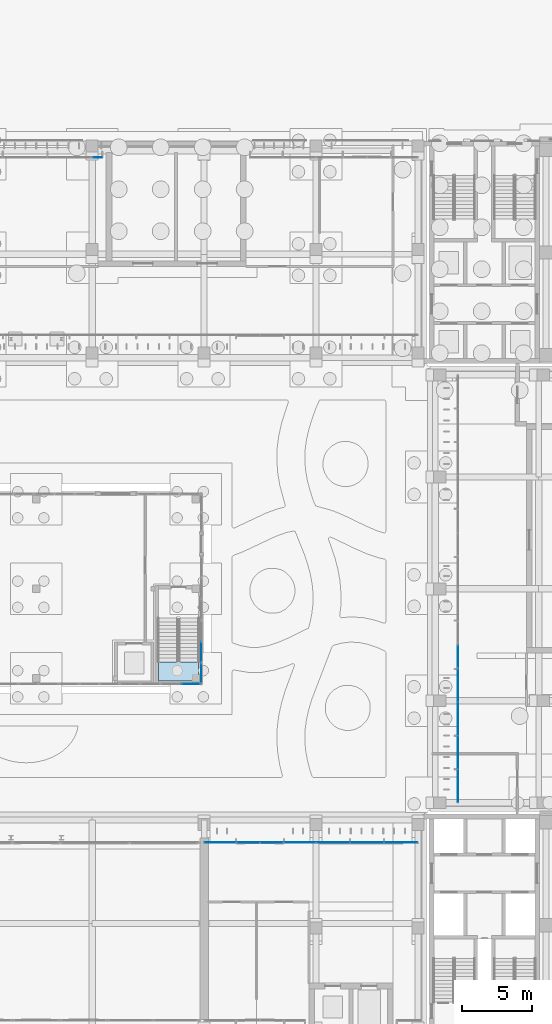
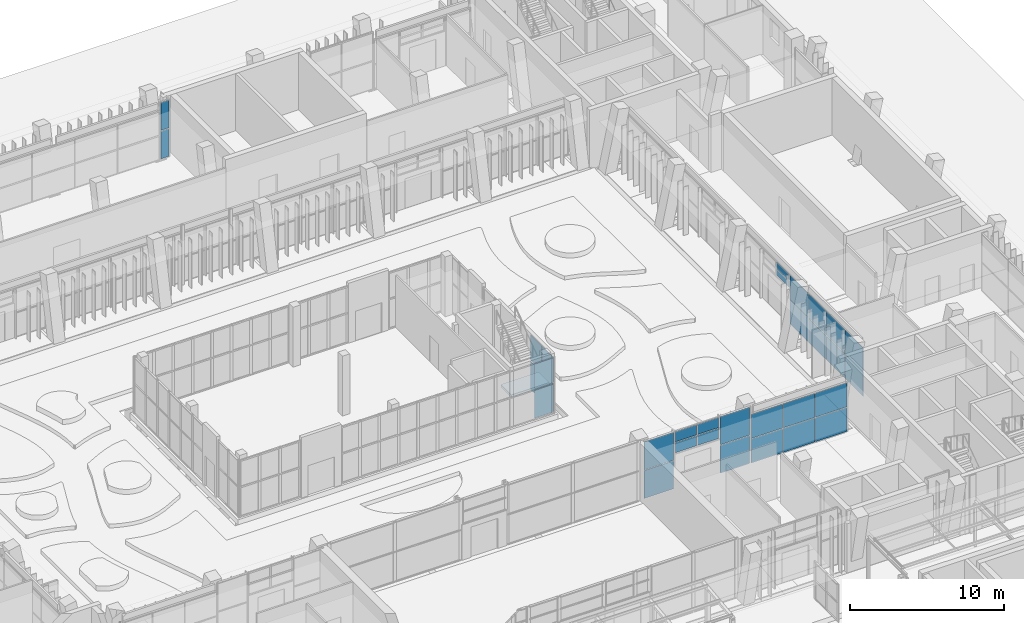
# One storey, part 99 of 144: 32 plates, 1 slab, 10 elements without a shape of their own.
"""IFC4 building model written with IfcOpenShell, lengths in metres."""

from ifc_helpers import new_model, si_unit, direction, frame, origin, origin_2d, place, context, subcontext, project, spatial, polyline, rectangle, outline, extrude, material, layer, layer_set, type_object, element, aggregate, save


model = new_model("IFC4")

# Units and contexts
model_context = context("Model", 3, precision=1e-05, world=origin(), true_north=direction((0.0, 1.0)))
body_context = subcontext(model_context, "Body", "Model", "MODEL_VIEW")
ifc_project = project(units=[si_unit("LENGTHUNIT", "METRE"), si_unit("AREAUNIT", "SQUARE_METRE"), si_unit("VOLUMEUNIT", "CUBIC_METRE"), si_unit("PLANEANGLEUNIT", "RADIAN"), si_unit("MASSUNIT", "GRAM", prefix="KILO")], contexts=[model_context])

# Site, building, storey
site_placement = place(None, origin())
site = spatial("IfcSite", under=ifc_project, at=site_placement, CompositionType="ELEMENT")
building_placement = place(site_placement, origin())
building = spatial("IfcBuilding", under=site, at=building_placement, Name="Lantern Court Media Centre", CompositionType="ELEMENT")
storey_placement = place(building_placement, origin())
storey = spatial("IfcBuildingStorey", under=building, at=storey_placement, Name="L00", CompositionType="ELEMENT", Elevation=0.0)

# Curtain wall, plates
ifc_material_1 = material(Name="Curtain wall bay 2400")
curtain_wall_type_1 = type_object("IfcCurtainWallType", Name="Curtain wall bay 2400", PredefinedType="NOTDEFINED", material=ifc_material_1)
curtain_wall_1_placement = place(storey_placement, origin())
curtain_wall_1 = element("IfcCurtainWall", 1, at=curtain_wall_1_placement, inside=storey, type_object=curtain_wall_type_1, Name="Curtain wall S inner L00", PredefinedType="NOTDEFINED")
ifc_material_2 = material(Name="Low-iron double glazed unit glass", Category="glass")
ifc_layer_1 = layer(ifc_material_2, 0.02392578125)
ifc_layer_set_1 = layer_set([ifc_layer_1], Name="Low-iron double glazed unit glass")
plate_type_1 = type_object("IfcPlateType", Name="Curtain wall glazing unit 24", PredefinedType="CURTAIN_PANEL", material=ifc_layer_set_1)
plate_1_placement = place(storey_placement, frame((65.14990234375, 61.85009765625, 0.0498046875), z_axis=(0.0, 0.0, 1.0), x_axis=(1.0, 0.0, 0.0)))
plate_1 = element("IfcPlate", 2, at=plate_1_placement, type_object=plate_type_1, Name="CW2 panel 1.1", PredefinedType="CURTAIN_PANEL", context=body_context, shape_type="SweptSolid", body=[
    extrude(rectangle(XDim=2.199951171875, YDim=0.02392578125, at=origin_2d()), origin(), (0.0, 0.0, 1.0), 2.215087890625),
])
plate_2_placement = place(storey_placement, frame((65.14990234375, 61.85009765625, 2.31494140625), z_axis=(0.0, 0.0, 1.0), x_axis=(1.0, 0.0, 0.0)))
plate_2 = element("IfcPlate", 3, at=plate_2_placement, type_object=plate_type_1, Name="CW2 panel 1.2", PredefinedType="CURTAIN_PANEL", context=body_context, shape_type="SweptSolid", body=[
    extrude(rectangle(XDim=2.199951171875, YDim=0.02392578125, at=origin_2d()), origin(), (0.0, 0.0, 1.0), 2.215087890625),
])
aggregate(curtain_wall_1, [plate_1, plate_2])

curtain_wall_2_placement = place(storey_placement, origin())
curtain_wall_2 = element("IfcCurtainWall", 4, at=curtain_wall_2_placement, inside=storey, type_object=curtain_wall_type_1, Name="Curtain wall S inner L00", PredefinedType="NOTDEFINED")
plate_3_placement = place(storey_placement, frame((70.85009765625, 61.85009765625, 0.0498046875), z_axis=(0.0, 0.0, 1.0), x_axis=(1.0, 0.0, 0.0)))
plate_3 = element("IfcPlate", 5, at=plate_3_placement, type_object=plate_type_1, Name="CW2 panel 1.1", PredefinedType="CURTAIN_PANEL", context=body_context, shape_type="SweptSolid", body=[
    extrude(rectangle(XDim=2.199951171875, YDim=0.02392578125, at=origin_2d()), origin(), (0.0, 0.0, 1.0), 2.215087890625),
])
plate_4_placement = place(storey_placement, frame((70.85009765625, 61.85009765625, 2.31494140625), z_axis=(0.0, 0.0, 1.0), x_axis=(1.0, 0.0, 0.0)))
plate_4 = element("IfcPlate", 6, at=plate_4_placement, type_object=plate_type_1, Name="CW2 panel 1.2", PredefinedType="CURTAIN_PANEL", context=body_context, shape_type="SweptSolid", body=[
    extrude(rectangle(XDim=2.199951171875, YDim=0.02392578125, at=origin_2d()), origin(), (0.0, 0.0, 1.0), 2.215087890625),
])
aggregate(curtain_wall_2, [plate_3, plate_4])

curtain_wall_3_placement = place(storey_placement, origin())
curtain_wall_3 = element("IfcCurtainWall", 7, at=curtain_wall_3_placement, inside=storey, type_object=curtain_wall_type_1, Name="Curtain wall S inner L00", PredefinedType="NOTDEFINED")
plate_5_placement = place(storey_placement, frame((73.229248046875, 61.85009765625, 0.050048828125), z_axis=(0.0, 0.0, 1.0), x_axis=(1.0, 0.0, 0.0)))
plate_5 = element("IfcPlate", 8, at=plate_5_placement, type_object=plate_type_1, Name="CW2 panel 1.1", PredefinedType="CURTAIN_PANEL", context=body_context, shape_type="SweptSolid", body=[
    extrude(rectangle(XDim=2.3583984375, YDim=0.02392578125, at=origin_2d()), origin(), (0.0, 0.0, 1.0), 1.89990234375),
])
plate_6_placement = place(storey_placement, frame((73.229248046875, 61.85009765625, 2.0), z_axis=(0.0, 0.0, 1.0), x_axis=(1.0, 0.0, 0.0)))
plate_6 = element("IfcPlate", 9, at=plate_6_placement, type_object=plate_type_1, Name="CW2 panel 1.2", PredefinedType="CURTAIN_PANEL", context=body_context, shape_type="SweptSolid", body=[
    extrude(rectangle(XDim=2.3583984375, YDim=0.02392578125, at=origin_2d()), origin(), (0.0, 0.0, 1.0), 1.89990234375),
])
plate_7_placement = place(storey_placement, frame((75.64990234375, 61.85009765625, 0.050048828125), z_axis=(0.0, 0.0, 1.0), x_axis=(1.0, 0.0, 0.0)))
plate_7 = element("IfcPlate", 10, at=plate_7_placement, type_object=plate_type_1, Name="CW2 panel 2.1", PredefinedType="CURTAIN_PANEL", context=body_context, shape_type="SweptSolid", body=[
    extrude(rectangle(XDim=2.38330078125, YDim=0.02392578125, at=origin_2d()), origin(), (0.0, 0.0, 1.0), 1.89990234375),
])
plate_8_placement = place(storey_placement, frame((75.64990234375, 61.85009765625, 2.0), z_axis=(0.0, 0.0, 1.0), x_axis=(1.0, 0.0, 0.0)))
plate_8 = element("IfcPlate", 11, at=plate_8_placement, type_object=plate_type_1, Name="CW2 panel 2.2", PredefinedType="CURTAIN_PANEL", context=body_context, shape_type="SweptSolid", body=[
    extrude(rectangle(XDim=2.38330078125, YDim=0.02392578125, at=origin_2d()), origin(), (0.0, 0.0, 1.0), 1.89990234375),
])
plate_9_placement = place(storey_placement, frame((78.07080078125, 61.85009765625, 0.050048828125), z_axis=(0.0, 0.0, 1.0), x_axis=(1.0, 0.0, 0.0)))
plate_9 = element("IfcPlate", 12, at=plate_9_placement, type_object=plate_type_1, Name="CW2 panel 3.1", PredefinedType="CURTAIN_PANEL", context=body_context, shape_type="SweptSolid", body=[
    extrude(rectangle(XDim=2.3583984375, YDim=0.02392578125, at=origin_2d()), origin(), (0.0, 0.0, 1.0), 1.89990234375),
])
plate_10_placement = place(storey_placement, frame((78.07080078125, 61.85009765625, 2.0), z_axis=(0.0, 0.0, 1.0), x_axis=(1.0, 0.0, 0.0)))
plate_10 = element("IfcPlate", 13, at=plate_10_placement, type_object=plate_type_1, Name="CW2 panel 3.2", PredefinedType="CURTAIN_PANEL", context=body_context, shape_type="SweptSolid", body=[
    extrude(rectangle(XDim=2.3583984375, YDim=0.02392578125, at=origin_2d()), origin(), (0.0, 0.0, 1.0), 1.89990234375),
])
aggregate(curtain_wall_3, [plate_5, plate_6, plate_7, plate_8, plate_9, plate_10])

curtain_wall_4_placement = place(storey_placement, origin())
curtain_wall_4 = element("IfcCurtainWall", 14, at=curtain_wall_4_placement, inside=storey, type_object=curtain_wall_type_1, Name="Curtain wall E inner L00", PredefinedType="NOTDEFINED")
plate_11_placement = place(storey_placement, frame((82.14990234375, 65.91259765625, 0.050048828125), z_axis=(0.0, 0.0, 1.0), x_axis=(0.0, 1.0, 0.0)))
plate_11 = element("IfcPlate", 15, at=plate_11_placement, type_object=plate_type_1, Name="CW2 panel 1.1", PredefinedType="CURTAIN_PANEL", context=body_context, shape_type="SweptSolid", body=[
    extrude(rectangle(XDim=2.324951171875, YDim=0.02392578125, at=origin_2d()), origin(), (0.0, 0.0, 1.0), 1.89990234375),
])
plate_12_placement = place(storey_placement, frame((82.14990234375, 65.91259765625, 2.0), z_axis=(0.0, 0.0, 1.0), x_axis=(0.0, 1.0, 0.0)))
plate_12 = element("IfcPlate", 16, at=plate_12_placement, type_object=plate_type_1, Name="CW2 panel 1.2", PredefinedType="CURTAIN_PANEL", context=body_context, shape_type="SweptSolid", body=[
    extrude(rectangle(XDim=2.324951171875, YDim=0.02392578125, at=origin_2d()), origin(), (0.0, 0.0, 1.0), 1.89990234375),
])
plate_13_placement = place(storey_placement, frame((82.14990234375, 68.300048828125, 0.050048828125), z_axis=(0.0, 0.0, 1.0), x_axis=(0.0, 1.0, 0.0)))
plate_13 = element("IfcPlate", 17, at=plate_13_placement, type_object=plate_type_1, Name="CW2 panel 2.1", PredefinedType="CURTAIN_PANEL", context=body_context, shape_type="SweptSolid", body=[
    extrude(rectangle(XDim=2.35009765625, YDim=0.02392578125, at=origin_2d()), origin(), (0.0, 0.0, 1.0), 1.89990234375),
])
plate_14_placement = place(storey_placement, frame((82.14990234375, 68.300048828125, 2.0), z_axis=(0.0, 0.0, 1.0), x_axis=(0.0, 1.0, 0.0)))
plate_14 = element("IfcPlate", 18, at=plate_14_placement, type_object=plate_type_1, Name="CW2 panel 2.2", PredefinedType="CURTAIN_PANEL", context=body_context, shape_type="SweptSolid", body=[
    extrude(rectangle(XDim=2.35009765625, YDim=0.02392578125, at=origin_2d()), origin(), (0.0, 0.0, 1.0), 1.89990234375),
])
plate_15_placement = place(storey_placement, frame((82.14990234375, 70.699951171875, 0.050048828125), z_axis=(0.0, 0.0, 1.0), x_axis=(0.0, 1.0, 0.0)))
plate_15 = element("IfcPlate", 19, at=plate_15_placement, type_object=plate_type_1, Name="CW2 panel 3.1", PredefinedType="CURTAIN_PANEL", context=body_context, shape_type="SweptSolid", body=[
    extrude(rectangle(XDim=2.35009765625, YDim=0.02392578125, at=origin_2d()), origin(), (0.0, 0.0, 1.0), 1.89990234375),
])
plate_16_placement = place(storey_placement, frame((82.14990234375, 70.699951171875, 2.0), z_axis=(0.0, 0.0, 1.0), x_axis=(0.0, 1.0, 0.0)))
plate_16 = element("IfcPlate", 20, at=plate_16_placement, type_object=plate_type_1, Name="CW2 panel 3.2", PredefinedType="CURTAIN_PANEL", context=body_context, shape_type="SweptSolid", body=[
    extrude(rectangle(XDim=2.35009765625, YDim=0.02392578125, at=origin_2d()), origin(), (0.0, 0.0, 1.0), 1.89990234375),
])
plate_17_placement = place(storey_placement, frame((82.14990234375, 73.08740234375, 0.050048828125), z_axis=(0.0, 0.0, 1.0), x_axis=(0.0, 1.0, 0.0)))
plate_17 = element("IfcPlate", 21, at=plate_17_placement, type_object=plate_type_1, Name="CW2 panel 4.1", PredefinedType="CURTAIN_PANEL", context=body_context, shape_type="SweptSolid", body=[
    extrude(rectangle(XDim=2.324951171875, YDim=0.02392578125, at=origin_2d()), origin(), (0.0, 0.0, 1.0), 1.89990234375),
])
plate_18_placement = place(storey_placement, frame((82.14990234375, 73.08740234375, 2.0), z_axis=(0.0, 0.0, 1.0), x_axis=(0.0, 1.0, 0.0)))
plate_18 = element("IfcPlate", 22, at=plate_18_placement, type_object=plate_type_1, Name="CW2 panel 4.2", PredefinedType="CURTAIN_PANEL", context=body_context, shape_type="SweptSolid", body=[
    extrude(rectangle(XDim=2.324951171875, YDim=0.02392578125, at=origin_2d()), origin(), (0.0, 0.0, 1.0), 1.89990234375),
])
aggregate(curtain_wall_4, [plate_11, plate_12, plate_13, plate_14, plate_15, plate_16, plate_17, plate_18])

ifc_material_3 = material(Name="Curtain wall bay 1700")
curtain_wall_type_2 = type_object("IfcCurtainWallType", Name="Curtain wall bay 1700", PredefinedType="NOTDEFINED", material=ifc_material_3)
curtain_wall_5_placement = place(storey_placement, origin())
curtain_wall_5 = element("IfcCurtainWall", 23, at=curtain_wall_5_placement, inside=storey, type_object=curtain_wall_type_2, Name="Curtain wall S inner L00", PredefinedType="NOTDEFINED")
ifc_layer_2 = layer(ifc_material_2, 0.028076171875)
ifc_layer_set_2 = layer_set([ifc_layer_2], Name="Low-iron double glazed unit glass")
plate_type_2 = type_object("IfcPlateType", Name="Curtain wall glazing unit 28", PredefinedType="CURTAIN_PANEL", material=ifc_layer_set_2)
plate_19_placement = place(storey_placement, frame((67.1650390625, 61.85009765625, 2.85986328125), z_axis=(0.0, 0.0, 1.0), x_axis=(1.0, 0.0, 0.0)))
plate_19 = element("IfcPlate", 24, at=plate_19_placement, type_object=plate_type_2, Name="CW4 panel 1.1", PredefinedType="CURTAIN_PANEL", context=body_context, shape_type="SweptSolid", body=[
    extrude(rectangle(XDim=1.610107421875, YDim=0.028076171875, at=origin_2d()), origin(), (0.0, 0.0, 1.0), 0.800048828125),
])
plate_20_placement = place(storey_placement, frame((67.1650390625, 61.85009765625, 3.72021484375), z_axis=(0.0, 0.0, 1.0), x_axis=(1.0, 0.0, 0.0)))
plate_20 = element("IfcPlate", 25, at=plate_20_placement, type_object=plate_type_2, Name="CW4 panel 1.2", PredefinedType="CURTAIN_PANEL", context=body_context, shape_type="SweptSolid", body=[
    extrude(rectangle(XDim=1.610107421875, YDim=0.028076171875, at=origin_2d()), origin(), (0.0, 0.0, 1.0), 0.800048828125),
])
plate_21_placement = place(storey_placement, frame((68.8349609375, 61.85009765625, 2.85986328125), z_axis=(0.0, 0.0, 1.0), x_axis=(1.0, 0.0, 0.0)))
plate_21 = element("IfcPlate", 26, at=plate_21_placement, type_object=plate_type_2, Name="CW4 panel 2.1", PredefinedType="CURTAIN_PANEL", context=body_context, shape_type="SweptSolid", body=[
    extrude(rectangle(XDim=1.610107421875, YDim=0.028076171875, at=origin_2d()), origin(), (0.0, 0.0, 1.0), 0.800048828125),
])
plate_22_placement = place(storey_placement, frame((68.8349609375, 61.85009765625, 3.72021484375), z_axis=(0.0, 0.0, 1.0), x_axis=(1.0, 0.0, 0.0)))
plate_22 = element("IfcPlate", 27, at=plate_22_placement, type_object=plate_type_2, Name="CW4 panel 2.2", PredefinedType="CURTAIN_PANEL", context=body_context, shape_type="SweptSolid", body=[
    extrude(rectangle(XDim=1.610107421875, YDim=0.028076171875, at=origin_2d()), origin(), (0.0, 0.0, 1.0), 0.800048828125),
])
aggregate(curtain_wall_5, [plate_19, plate_20, plate_21, plate_22])

ifc_material_4 = material(Name="Curtain wall bay 3000")
curtain_wall_type_3 = type_object("IfcCurtainWallType", Name="Curtain wall bay 3000", PredefinedType="NOTDEFINED", material=ifc_material_4)
curtain_wall_6_placement = place(storey_placement, origin())
curtain_wall_6 = element("IfcCurtainWall", 28, at=curtain_wall_6_placement, inside=storey, type_object=curtain_wall_type_3, Name="Curtain wall N outer L00", PredefinedType="NOTDEFINED")
plate_23_placement = place(storey_placement, frame((56.375, 110.85009765625, 0.06005859375), z_axis=(0.0, 0.0, 1.0), x_axis=(1.0, 0.0, 0.0)))
plate_23 = element("IfcPlate", 29, at=plate_23_placement, type_object=plate_type_2, Name="CW1 panel 1.1", PredefinedType="CURTAIN_PANEL", context=body_context, shape_type="SweptSolid", body=[
    extrude(rectangle(XDim=0.6298828125, YDim=0.028076171875, at=origin_2d()), origin(), (0.0, 0.0, 1.0), 2.199951171875),
])
plate_24_placement = place(storey_placement, frame((56.375, 110.85009765625, 2.31982421875), z_axis=(0.0, 0.0, 1.0), x_axis=(1.0, 0.0, 0.0)))
plate_24 = element("IfcPlate", 30, at=plate_24_placement, type_object=plate_type_2, Name="CW1 panel 1.2", PredefinedType="CURTAIN_PANEL", context=body_context, shape_type="SweptSolid", body=[
    extrude(rectangle(XDim=0.6298828125, YDim=0.028076171875, at=origin_2d()), origin(), (0.0, 0.0, 1.0), 2.199951171875),
])
aggregate(curtain_wall_6, [plate_23, plate_24])

curtain_wall_7_placement = place(storey_placement, origin())
curtain_wall_7 = element("IfcCurtainWall", 31, at=curtain_wall_7_placement, inside=storey, type_object=curtain_wall_type_2, Name="Curtain wall E inner L00", PredefinedType="NOTDEFINED")
plate_25_placement = place(storey_placement, frame((82.14990234375, 75.1650390625, 2.85986328125), z_axis=(0.0, 0.0, 1.0), x_axis=(0.0, 1.0, 0.0)))
plate_25 = element("IfcPlate", 32, at=plate_25_placement, type_object=plate_type_2, Name="CW4 panel 1.1", PredefinedType="CURTAIN_PANEL", context=body_context, shape_type="SweptSolid", body=[
    extrude(rectangle(XDim=1.610107421875, YDim=0.028076171875, at=origin_2d()), origin(), (0.0, 0.0, 1.0), 0.485107421875),
])
plate_26_placement = place(storey_placement, frame((82.14990234375, 75.1650390625, 3.40478515625), z_axis=(0.0, 0.0, 1.0), x_axis=(0.0, 1.0, 0.0)))
plate_26 = element("IfcPlate", 33, at=plate_26_placement, type_object=plate_type_2, Name="CW4 panel 1.2", PredefinedType="CURTAIN_PANEL", context=body_context, shape_type="SweptSolid", body=[
    extrude(rectangle(XDim=1.610107421875, YDim=0.028076171875, at=origin_2d()), origin(), (0.0, 0.0, 1.0), 0.485107421875),
])
aggregate(curtain_wall_7, [plate_25, plate_26])

ifc_material_5 = material(Name="Aluminium and glass", Category="aluminium")
ifc_layer_3 = layer(ifc_material_5, 0.14990234375)
ifc_layer_set_3 = layer_set([ifc_layer_3], Name="Aluminium and glass")
curtain_wall_type_4 = type_object("IfcCurtainWallType", Name="Hall lancet glazing", PredefinedType="NOTDEFINED", material=ifc_layer_set_3)
curtain_wall_8_placement = place(storey_placement, origin())
curtain_wall_8 = element("IfcCurtainWall", 34, at=curtain_wall_8_placement, inside=storey, type_object=curtain_wall_type_4, Name="Press box glazing S 2", PredefinedType="NOTDEFINED")
ifc_material_6 = material(Name="Laminated glass 6+6", Category="glass")
ifc_layer_4 = layer(ifc_material_6, 0.028076171875)
ifc_layer_set_4 = layer_set([ifc_layer_4], Name="Laminated glass 6+6")
plate_type_3 = type_object("IfcPlateType", Name="HP", PredefinedType="CURTAIN_PANEL", material=ifc_layer_set_4)
plate_27_placement = place(storey_placement, frame((63.0576171875, 73.199951171875, 0.1201171875), z_axis=(0.0, 0.0, 1.0), x_axis=(1.0, 0.0, 0.0)))
plate_27 = element("IfcPlate", 35, at=plate_27_placement, type_object=plate_type_3, Name="HCW-PS2 panel 11.1", PredefinedType="CURTAIN_PANEL", context=body_context, shape_type="SweptSolid", body=[
    extrude(rectangle(XDim=1.364501953125, YDim=0.028076171875, at=origin_2d()), origin(), (0.0, 0.0, 1.0), 2.219970703125),
])
plate_28_placement = place(storey_placement, frame((63.0576171875, 73.199951171875, 2.4599609375), z_axis=(0.0, 0.0, 1.0), x_axis=(1.0, 0.0, 0.0)))
plate_28 = element("IfcPlate", 36, at=plate_28_placement, type_object=plate_type_3, Name="HCW-PS2 panel 11.2", PredefinedType="CURTAIN_PANEL", context=body_context, shape_type="SweptSolid", body=[
    extrude(rectangle(XDim=1.364501953125, YDim=0.028076171875, at=origin_2d()), origin(), (0.0, 0.0, 1.0), 1.969970703125),
])
aggregate(curtain_wall_8, [plate_27, plate_28])

curtain_wall_9_placement = place(storey_placement, origin())
curtain_wall_9 = element("IfcCurtainWall", 37, at=curtain_wall_9_placement, inside=storey, type_object=curtain_wall_type_4, Name="Press box glazing E 1", PredefinedType="NOTDEFINED")
plate_29_placement = place(storey_placement, frame((63.800048828125, 73.973388671875, 0.1201171875), z_axis=(0.0, 0.0, 1.0), x_axis=(0.0, 1.0, 0.0)))
plate_29 = element("IfcPlate", 38, at=plate_29_placement, type_object=plate_type_3, Name="HCW-PE1 panel 1.1", PredefinedType="CURTAIN_PANEL", context=body_context, shape_type="SweptSolid", body=[
    extrude(rectangle(XDim=1.4267578125, YDim=0.028076171875, at=origin_2d()), origin(), (0.0, 0.0, 1.0), 2.219970703125),
])
plate_30_placement = place(storey_placement, frame((63.800048828125, 73.973388671875, 2.4599609375), z_axis=(0.0, 0.0, 1.0), x_axis=(0.0, 1.0, 0.0)))
plate_30 = element("IfcPlate", 39, at=plate_30_placement, type_object=plate_type_3, Name="HCW-PE1 panel 1.2", PredefinedType="CURTAIN_PANEL", context=body_context, shape_type="SweptSolid", body=[
    extrude(rectangle(XDim=1.4267578125, YDim=0.028076171875, at=origin_2d()), origin(), (0.0, 0.0, 1.0), 1.969970703125),
])
plate_31_placement = place(storey_placement, frame((63.800048828125, 75.47509765625, 0.1201171875), z_axis=(0.0, 0.0, 1.0), x_axis=(0.0, 1.0, 0.0)))
plate_31 = element("IfcPlate", 40, at=plate_31_placement, type_object=plate_type_3, Name="HCW-PE1 panel 2.1", PredefinedType="CURTAIN_PANEL", context=body_context, shape_type="SweptSolid", body=[
    extrude(rectangle(XDim=1.456787109375, YDim=0.028076171875, at=origin_2d()), origin(), (0.0, 0.0, 1.0), 2.219970703125),
])
plate_32_placement = place(storey_placement, frame((63.800048828125, 75.47509765625, 2.4599609375), z_axis=(0.0, 0.0, 1.0), x_axis=(0.0, 1.0, 0.0)))
plate_32 = element("IfcPlate", 41, at=plate_32_placement, type_object=plate_type_3, Name="HCW-PE1 panel 2.2", PredefinedType="CURTAIN_PANEL", context=body_context, shape_type="SweptSolid", body=[
    extrude(rectangle(XDim=1.456787109375, YDim=0.028076171875, at=origin_2d()), origin(), (0.0, 0.0, 1.0), 1.969970703125),
])
aggregate(curtain_wall_9, [plate_29, plate_30, plate_31, plate_32])

# Stair, slab
ifc_material_7 = material(Name="Concrete C40", Category="concrete")
stair_type = type_object("IfcStairType", Name="Exit stair 1350", PredefinedType="HALF_TURN_STAIR", material=ifc_material_7)
stair_placement = place(storey_placement, origin())
stair = element("IfcStair", 42, at=stair_placement, inside=storey, type_object=stair_type, Name="L00 PRESS-ST exit stair", PredefinedType="HALF_TURN_STAIR")
ifc_layer_5 = layer(ifc_material_7, 0.199951171875)
ifc_layer_set_5 = layer_set([ifc_layer_5], Name="Concrete C40")
slab_type = type_object("IfcSlabType", Name="Stair landing RC 200", PredefinedType="LANDING", material=ifc_layer_set_5)
slab_placement = place(storey_placement, frame((0.0, 0.0, 2.199951171875)))
slab = element("IfcSlab", 43, at=slab_placement, type_object=slab_type, Name="ST-PRESS-ST landing 1", PredefinedType="LANDING", context=body_context, shape_type="SweptSolid", body=[
    extrude(outline(polyline([(60.75, 74.780029296875), (60.75, 73.39990234375), (63.60009765625, 73.39990234375), (63.60009765625, 74.780029296875), (60.75, 74.780029296875)])), origin(), (0.0, 0.0, 1.0), 0.199951171875),
])
aggregate(stair, [slab])

save(model, "model.ifc")
